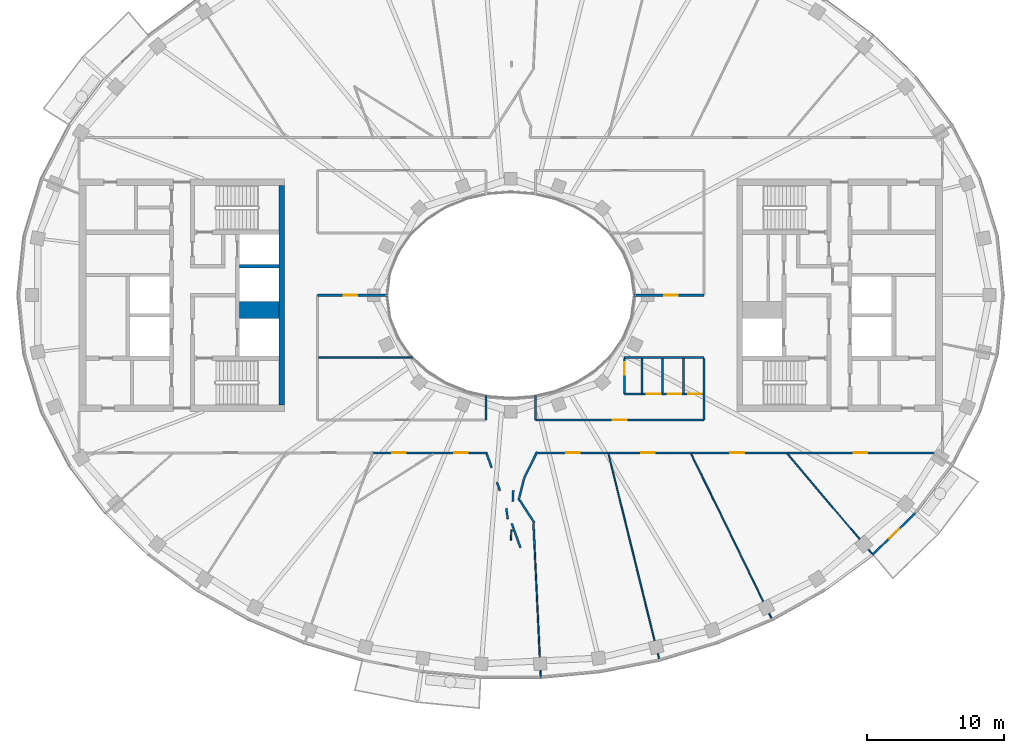
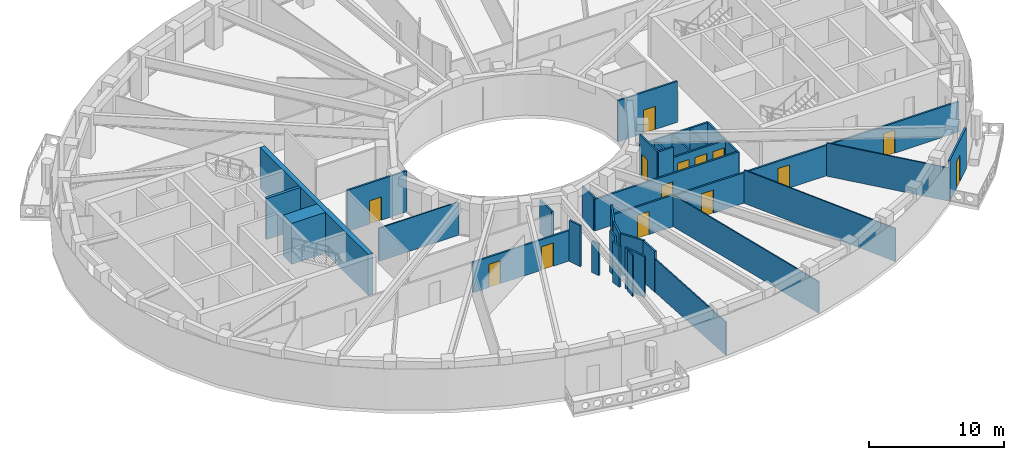
# One storey, part 4 of 16: 35 walls, 14 doors, 14 openings.
"""IFC4 building model written with IfcOpenShell, lengths in metres."""

from ifc_helpers import new_model, si_unit, direction, frame, frame_2d, origin, place, context, subcontext, project, spatial, rectangle, extrude, material, layer, layer_set, type_object, element, fill, save


model = new_model("IFC4")

# Units and contexts
model_context = context("Model", 3, precision=1e-05, world=origin(), true_north=direction((0.0, 1.0)))
body_context = subcontext(model_context, "Body", "Model", "MODEL_VIEW")
ifc_project = project(units=[si_unit("LENGTHUNIT", "METRE"), si_unit("AREAUNIT", "SQUARE_METRE"), si_unit("VOLUMEUNIT", "CUBIC_METRE"), si_unit("PLANEANGLEUNIT", "RADIAN"), si_unit("MASSUNIT", "GRAM", prefix="KILO")], contexts=[model_context])

# Site, building, storey
site_placement = place(None, origin())
site = spatial("IfcSite", under=ifc_project, at=site_placement, CompositionType="ELEMENT")
building_placement = place(site_placement, origin())
building = spatial("IfcBuilding", under=site, at=building_placement, Name="Noorbagh Ring Tower", CompositionType="ELEMENT")
storey_placement = place(building_placement, frame((0.0, 0.0, 315.0)))
storey = spatial("IfcBuildingStorey", under=building, at=storey_placement, Name="L68", CompositionType="ELEMENT", Elevation=315.0)

# Wall, opening, door
ifc_material_1 = material(Name="Gypsum board on steel studs", Category="steel")
ifc_layer_1 = layer(ifc_material_1, 0.14990234375)
ifc_layer_set_1 = layer_set([ifc_layer_1], Name="Gypsum board on steel studs")
wall_type_1 = type_object("IfcWallType", Name="COMPARTMENT PARTITION 150 EI 60", PredefinedType="PARTITIONING", material=ifc_layer_set_1)
wall_1_placement = place(storey_placement, frame((8.300048828125, -7.199951171875, 0.0), z_axis=(0.0, 0.0, 1.0), x_axis=(0.0, 1.0, 0.0)))
wall_1 = element("IfcWall", 1, at=wall_1_placement, inside=storey, type_object=wall_type_1, Name="L68/wall/P56", PredefinedType="PARTITIONING", context=body_context, shape_type="SweptSolid", body=[
    extrude(rectangle(XDim=2.595947265625, YDim=0.14990234375, at=frame_2d((1.2978515625, 0.0))), origin(), (0.0, 0.0, 1.0), 3.699951171875),
])
opening_1_placement = place(wall_1_placement, frame((1.39990234375, 0.0, 0.0)))
opening_1 = element("IfcOpeningElement", 2, at=opening_1_placement, cuts=wall_1, Name="Opening D4", PredefinedType="OPENING", context=body_context, shape_type="SweptSolid", body=[
    extrude(rectangle(XDim=0.89990234375, YDim=2.10009765625, at=frame_2d((0.449951171875, 1.050048828125))), frame((0.0, 0.0849609375, 0.0), z_axis=(0.0, -1.0, 0.0), x_axis=(1.0, 0.0, 0.0)), (0.0, 0.0, 1.0), 0.169921875),
])
ifc_material_2 = material(Name="Timber, painted", Category="wood")
door_type_1 = type_object("IfcDoorType", Name="DOOR 900 X 2100 FD60", OperationType="SINGLE_SWING_LEFT", PredefinedType="DOOR", material=ifc_material_2)
door_1_placement = place(opening_1_placement, origin())
door_1 = element("IfcDoor", 3, at=door_1_placement, inside=storey, type_object=door_type_1, Name="L68-D05", OperationType="SINGLE_SWING_RIGHT", OverallHeight=2.10009765625, OverallWidth=0.89990234375, PredefinedType="DOOR", context=body_context, shape_type="SweptSolid", body=[
    extrude(rectangle(XDim=0.89990234375, YDim=2.10009765625, at=frame_2d((0.449951171875, 1.050048828125))), frame((0.0, 0.02490234375, 0.0), z_axis=(0.0, -1.0, 0.0), x_axis=(1.0, 0.0, 0.0)), (0.0, 0.0, 1.0), 0.050048828125),
])
fill(opening_1, door_1)

# Walls
wall_2_placement = place(storey_placement, frame((8.300048828125, -7.199951171875, 0.0), z_axis=(0.0, 0.0, 1.0), x_axis=(1.0, 0.0, 0.0)))
element("IfcWall", 4, at=wall_2_placement, inside=storey, type_object=wall_type_1, Name="L68/wall/P57", PredefinedType="PARTITIONING", context=body_context, shape_type="SweptSolid", body=[
    extrude(rectangle(XDim=1.27587890625, YDim=0.14990234375, at=frame_2d((0.637939453125, 0.0))), origin(), (0.0, 0.0, 1.0), 3.699951171875),
])
wall_3_placement = place(storey_placement, frame((9.575927734375, -7.199951171875, 0.0), z_axis=(0.0, 0.0, 1.0), x_axis=(0.0, 1.0, 0.0)))
element("IfcWall", 5, at=wall_3_placement, inside=storey, type_object=wall_type_1, Name="L68/wall/P59", PredefinedType="PARTITIONING", context=body_context, shape_type="SweptSolid", body=[
    extrude(rectangle(XDim=2.599853515625, YDim=0.14990234375, at=frame_2d((1.2998046875, 0.0))), origin(), (0.0, 0.0, 1.0), 2.75),
])
ifc_material_3 = material(Name="Concrete C50/60", Category="concrete")
ifc_layer_2 = layer(ifc_material_3, 1.25)
ifc_layer_set_2 = layer_set([ifc_layer_2], Name="Concrete C50/60")
wall_type_2 = type_object("IfcWallType", Name="CORE-WALL-1250-C50-60-EI120", PredefinedType="SHEAR", material=ifc_layer_set_2)
wall_4_placement = place(storey_placement, frame((-16.89990234375, -1.074951171875, 0.0), z_axis=(0.0, 0.0, 1.0), x_axis=(-1.0, 0.0, 0.0)))
element("IfcWall", 6, at=wall_4_placement, inside=storey, type_object=wall_type_2, Name="Core wall W", PredefinedType="SHEAR", context=body_context, shape_type="SweptSolid", body=[
    extrude(rectangle(XDim=2.900146484375, YDim=1.25, at=frame_2d((1.4501953125, 0.0))), origin(), (0.0, 0.0, 1.0), 3.699951171875),
])
ifc_material_4 = material(Name="Concrete C50/60", Category="concrete")
ifc_layer_3 = layer(ifc_material_4, 0.25)
ifc_layer_set_3 = layer_set([ifc_layer_3], Name="Concrete C50/60")
wall_type_3 = type_object("IfcWallType", Name="CORE-WALL-250-C50-60-EI120", PredefinedType="SHEAR", material=ifc_layer_set_3)
wall_5_placement = place(storey_placement, frame((-16.89990234375, 2.125, 0.0), z_axis=(0.0, 0.0, 1.0), x_axis=(-1.0, 0.0, 0.0)))
element("IfcWall", 7, at=wall_5_placement, inside=storey, type_object=wall_type_3, Name="Core wall W", PredefinedType="SHEAR", context=body_context, shape_type="SweptSolid", body=[
    extrude(rectangle(XDim=2.900146484375, YDim=0.25, at=frame_2d((1.4501953125, 0.0))), origin(), (0.0, 0.0, 1.0), 3.699951171875),
])
ifc_material_5 = material(Name="Concrete C50/60", Category="concrete")
ifc_layer_4 = layer(ifc_material_5, 0.39990234375)
ifc_layer_set_4 = layer_set([ifc_layer_4], Name="Concrete C50/60")
wall_type_4 = type_object("IfcWallType", Name="CORE-WALL-400-C50-60-EI240", PredefinedType="SHEAR", material=ifc_layer_set_4)
wall_6_placement = place(storey_placement, frame((-16.699951171875, -8.0, 0.0), z_axis=(0.0, 0.0, 1.0), x_axis=(0.0, 1.0, 0.0)))
element("IfcWall", 8, at=wall_6_placement, inside=storey, type_object=wall_type_4, Name="Core wall W", PredefinedType="SHEAR", context=body_context, shape_type="SweptSolid", body=[
    extrude(rectangle(XDim=16.0, YDim=0.39990234375, at=frame_2d((8.0, 0.0))), origin(), (0.0, 0.0, 1.0), 3.699951171875),
])

# Wall, opening, door
ifc_material_6 = material(Name="Gypsum board on steel studs", Category="steel")
ifc_layer_5 = layer(ifc_material_6, 0.14990234375)
ifc_layer_set_5 = layer_set([ifc_layer_5], Name="Gypsum board on steel studs")
wall_type_5 = type_object("IfcWallType", Name="CORRIDOR PARTITION 150 EI 30", PredefinedType="PARTITIONING", material=ifc_layer_set_5)
wall_7_placement = place(storey_placement, frame((-14.10009765625, 0.0, 0.0), z_axis=(0.0, 0.0, 1.0), x_axis=(1.0, 0.0, 0.0)))
wall_7 = element("IfcWall", 9, at=wall_7_placement, inside=storey, type_object=wall_type_5, Name="L68/wall/P13", PredefinedType="PARTITIONING", context=body_context, shape_type="SweptSolid", body=[
    extrude(rectangle(XDim=5.09521484375, YDim=0.14990234375, at=frame_2d((2.547607421875, 0.0))), origin(), (0.0, 0.0, 1.0), 3.699951171875),
])
opening_2_placement = place(wall_7_placement, frame((1.89990234375, 0.0, 0.0)))
opening_2 = element("IfcOpeningElement", 10, at=opening_2_placement, cuts=wall_7, Name="Opening D1", PredefinedType="OPENING", context=body_context, shape_type="SweptSolid", body=[
    extrude(rectangle(XDim=1.0, YDim=2.10009765625, at=frame_2d((0.5, 1.050048828125))), frame((0.0, 0.0849609375, 0.0), z_axis=(0.0, -1.0, 0.0), x_axis=(1.0, 0.0, 0.0)), (0.0, 0.0, 1.0), 0.169921875),
])
ifc_material_7 = material(Name="Timber, painted", Category="wood")
door_type_2 = type_object("IfcDoorType", Name="DOOR 1000 X 2100 FD30", OperationType="SINGLE_SWING_LEFT", PredefinedType="DOOR", material=ifc_material_7)
door_2_placement = place(opening_2_placement, origin())
door_2 = element("IfcDoor", 11, at=door_2_placement, inside=storey, type_object=door_type_2, Name="L68-D26", OperationType="SINGLE_SWING_RIGHT", OverallHeight=2.10009765625, OverallWidth=1.0, PredefinedType="DOOR", context=body_context, shape_type="SweptSolid", body=[
    extrude(rectangle(XDim=1.0, YDim=2.10009765625, at=frame_2d((0.5, 1.050048828125))), frame((0.0, 0.02490234375, 0.0), z_axis=(0.0, -1.0, 0.0), x_axis=(1.0, 0.0, 0.0)), (0.0, 0.0, 1.0), 0.050048828125),
])
fill(opening_2, door_2)

# Wall, openings, doors
wall_8_placement = place(storey_placement, frame((-10.0029296875, -11.5, 0.0), z_axis=(0.0, 0.0, 1.0), x_axis=(1.0, 0.0, 0.0)))
wall_8 = element("IfcWall", 12, at=wall_8_placement, inside=storey, type_object=wall_type_5, Name="L68/wall/P20", PredefinedType="PARTITIONING", context=body_context, shape_type="SweptSolid", body=[
    extrude(rectangle(XDim=8.2978515625, YDim=0.14990234375, at=frame_2d((4.14892578125, 0.0))), origin(), (0.0, 0.0, 1.0), 2.75),
])
opening_3_placement = place(wall_8_placement, frame((5.860107421875, 0.0, 0.0)))
opening_3 = element("IfcOpeningElement", 13, at=opening_3_placement, cuts=wall_8, Name="Opening D1", PredefinedType="OPENING", context=body_context, shape_type="SweptSolid", body=[
    extrude(rectangle(XDim=1.0, YDim=2.10009765625, at=frame_2d((0.5, 1.050048828125))), frame((0.0, 0.0849609375, 0.0), z_axis=(0.0, -1.0, 0.0), x_axis=(1.0, 0.0, 0.0)), (0.0, 0.0, 1.0), 0.169921875),
])
opening_4_placement = place(wall_8_placement, frame((1.3349609375, 0.0, 0.0)))
opening_4 = element("IfcOpeningElement", 14, at=opening_4_placement, cuts=wall_8, Name="Opening D1", PredefinedType="OPENING", context=body_context, shape_type="SweptSolid", body=[
    extrude(rectangle(XDim=1.0, YDim=2.10009765625, at=frame_2d((0.5, 1.050048828125))), frame((0.0, 0.0849609375, 0.0), z_axis=(0.0, -1.0, 0.0), x_axis=(1.0, 0.0, 0.0)), (0.0, 0.0, 1.0), 0.169921875),
])
door_3_placement = place(opening_3_placement, origin())
door_3 = element("IfcDoor", 15, at=door_3_placement, inside=storey, type_object=door_type_2, Name="L68-D11", OperationType="SINGLE_SWING_LEFT", OverallHeight=2.10009765625, OverallWidth=1.0, PredefinedType="DOOR", context=body_context, shape_type="SweptSolid", body=[
    extrude(rectangle(XDim=1.0, YDim=2.10009765625, at=frame_2d((0.5, 1.050048828125))), frame((0.0, 0.02490234375, 0.0), z_axis=(0.0, -1.0, 0.0), x_axis=(1.0, 0.0, 0.0)), (0.0, 0.0, 1.0), 0.050048828125),
])
fill(opening_3, door_3)
door_4_placement = place(opening_4_placement, origin())
door_4 = element("IfcDoor", 16, at=door_4_placement, inside=storey, type_object=door_type_2, Name="L68-D12", OperationType="SINGLE_SWING_LEFT", OverallHeight=2.10009765625, OverallWidth=1.0, PredefinedType="DOOR", context=body_context, shape_type="SweptSolid", body=[
    extrude(rectangle(XDim=1.0, YDim=2.10009765625, at=frame_2d((0.5, 1.050048828125))), frame((0.0, 0.02490234375, 0.0), z_axis=(0.0, -1.0, 0.0), x_axis=(1.0, 0.0, 0.0)), (0.0, 0.0, 1.0), 0.050048828125),
])
fill(opening_4, door_4)

# Walls
wall_9_placement = place(storey_placement, frame((-1.800048828125, -9.10009765625, 0.0), z_axis=(0.0, 0.0, 1.0), x_axis=(0.0, 1.0, 0.0)))
element("IfcWall", 17, at=wall_9_placement, inside=storey, type_object=wall_type_5, Name="L68/wall/P24", PredefinedType="PARTITIONING", context=body_context, shape_type="SweptSolid", body=[
    extrude(rectangle(XDim=1.76416015625, YDim=0.14990234375, at=frame_2d((0.882080078125, 0.0))), origin(), (0.0, 0.0, 1.0), 3.0),
])
wall_10_placement = place(storey_placement, frame((-1.757080078125, -11.5791015625, 0.0), z_axis=(0.0, 0.0, 1.0), x_axis=(0.339062715819, -0.940763772018, 0.0)))
element("IfcWall", 18, at=wall_10_placement, inside=storey, type_object=wall_type_5, Name="L68/wall/P26", PredefinedType="PARTITIONING", context=body_context, shape_type="SweptSolid", body=[
    extrude(rectangle(XDim=1.0830078125, YDim=0.14990234375, at=frame_2d((0.54150390625, 0.0))), origin(), (0.0, 0.0, 1.0), 3.699951171875),
])
wall_11_placement = place(storey_placement, frame((-1.013916015625, -13.64404296875, 0.0), z_axis=(0.0, 0.0, 1.0), x_axis=(0.33795603829, -0.941161896904, 0.0)))
element("IfcWall", 19, at=wall_11_placement, inside=storey, type_object=wall_type_5, Name="L68/wall/P28", PredefinedType="PARTITIONING", context=body_context, shape_type="SweptSolid", body=[
    extrude(rectangle(XDim=0.668212890625, YDim=0.14990234375, at=frame_2d((0.333984375, 0.0))), origin(), (0.0, 0.0, 1.0), 2.85009765625),
])
wall_12_placement = place(storey_placement, frame((-0.33203125, -15.548095703125, 0.0), z_axis=(0.0, 0.0, 1.0), x_axis=(0.14248004426, -0.989797674774, 0.0)))
element("IfcWall", 20, at=wall_12_placement, inside=storey, type_object=wall_type_5, Name="L68/wall/P29", PredefinedType="PARTITIONING", context=body_context, shape_type="SweptSolid", body=[
    extrude(rectangle(XDim=0.80712890625, YDim=0.14990234375, at=frame_2d((0.403564453125, 0.0))), origin(), (0.0, 0.0, 1.0), 3.699951171875),
])
wall_13_placement = place(storey_placement, frame((0.069091796875, -16.658935546875, 0.0), z_axis=(0.0, 0.0, 1.0), x_axis=(0.3381611761, -0.941088209988, 0.0)))
element("IfcWall", 21, at=wall_13_placement, inside=storey, type_object=wall_type_5, Name="L68/wall/P32", PredefinedType="PARTITIONING", context=body_context, shape_type="SweptSolid", body=[
    extrude(rectangle(XDim=1.889404296875, YDim=0.14990234375, at=frame_2d((0.94482421875, 0.0))), origin(), (0.0, 0.0, 1.0), 3.699951171875),
])
wall_14_placement = place(storey_placement, frame((0.14599609375, -15.0419921875, 0.0), z_axis=(0.0, 0.0, 1.0), x_axis=(0.047343174261, 0.99887868325, 0.0)))
element("IfcWall", 22, at=wall_14_placement, inside=storey, type_object=wall_type_5, Name="L68/wall/P33", PredefinedType="PARTITIONING", context=body_context, shape_type="SweptSolid", body=[
    extrude(rectangle(XDim=0.783935546875, YDim=0.14990234375, at=frame_2d((0.39208984375, 0.0))), origin(), (0.0, 0.0, 1.0), 3.699951171875),
])
wall_15_placement = place(storey_placement, frame((0.572998046875, -14.97412109375, 0.0), z_axis=(0.0, 0.0, 1.0), x_axis=(0.239690117004, 0.970849446521, 0.0)))
element("IfcWall", 23, at=wall_15_placement, inside=storey, type_object=wall_type_5, Name="L68/wall/P35", PredefinedType="PARTITIONING", context=body_context, shape_type="SweptSolid", body=[
    extrude(rectangle(XDim=1.6357421875, YDim=0.14990234375, at=frame_2d((0.81787109375, 0.0))), origin(), (0.0, 0.0, 1.0), 3.699951171875),
])
wall_16_placement = place(storey_placement, frame((0.654052734375, -14.9609375, 0.0), z_axis=(0.0, 0.0, 1.0), x_axis=(0.542163330295, -0.840273124218, 0.0)))
element("IfcWall", 24, at=wall_16_placement, inside=storey, type_object=wall_type_5, Name="L68/wall/P36", PredefinedType="PARTITIONING", context=body_context, shape_type="SweptSolid", body=[
    extrude(rectangle(XDim=1.982666015625, YDim=0.14990234375, at=frame_2d((0.9912109375, 0.0))), origin(), (0.0, 0.0, 1.0), 3.699951171875),
])
wall_17_placement = place(storey_placement, frame((0.97705078125, -13.35302734375, 0.0), z_axis=(0.0, 0.0, 1.0), x_axis=(0.439324382849, 0.898328495949, 0.0)))
element("IfcWall", 25, at=wall_17_placement, inside=storey, type_object=wall_type_5, Name="L68/wall/P38", PredefinedType="PARTITIONING", context=body_context, shape_type="SweptSolid", body=[
    extrude(rectangle(XDim=2.146240234375, YDim=0.14990234375, at=frame_2d((1.0732421875, 0.0))), origin(), (0.0, 0.0, 1.0), 3.699951171875),
])
wall_18_placement = place(storey_placement, frame((1.655029296875, -16.64990234375, 0.0), z_axis=(0.0, 0.0, 1.0), x_axis=(0.047784147069, -0.998857685203, 0.0)))
element("IfcWall", 26, at=wall_18_placement, inside=storey, type_object=wall_type_5, Name="L68/wall/P42", PredefinedType="PARTITIONING", context=body_context, shape_type="SweptSolid", body=[
    extrude(rectangle(XDim=1.5888671875, YDim=0.14990234375, at=frame_2d((0.79443359375, 0.0))), origin(), (0.0, 0.0, 1.0), 3.699951171875),
])
wall_19_placement = place(storey_placement, frame((1.800048828125, -9.10009765625, 0.0), z_axis=(0.0, 0.0, 1.0), x_axis=(0.0, 1.0, 0.0)))
element("IfcWall", 27, at=wall_19_placement, inside=storey, type_object=wall_type_5, Name="L68/wall/P45", PredefinedType="PARTITIONING", context=body_context, shape_type="SweptSolid", body=[
    extrude(rectangle(XDim=1.76416015625, YDim=0.14990234375, at=frame_2d((0.882080078125, 0.0))), origin(), (0.0, 0.0, 1.0), 3.0),
])

# Wall, opening, door
wall_20_placement = place(storey_placement, frame((1.800048828125, -9.10009765625, 0.0), z_axis=(0.0, 0.0, 1.0), x_axis=(1.0, 0.0, 0.0)))
wall_20 = element("IfcWall", 28, at=wall_20_placement, inside=storey, type_object=wall_type_5, Name="L68/wall/P46", PredefinedType="PARTITIONING", context=body_context, shape_type="SweptSolid", body=[
    extrude(rectangle(XDim=12.300048828125, YDim=0.14990234375, at=frame_2d((6.14990234375, 0.0))), origin(), (0.0, 0.0, 1.0), 2.85009765625),
])
opening_5_placement = place(wall_20_placement, frame((5.64990234375, 0.0, 0.0)))
opening_5 = element("IfcOpeningElement", 29, at=opening_5_placement, cuts=wall_20, Name="Opening D1", PredefinedType="OPENING", context=body_context, shape_type="SweptSolid", body=[
    extrude(rectangle(XDim=1.0, YDim=2.10009765625, at=frame_2d((0.5, 1.050048828125))), frame((0.0, 0.0849609375, 0.0), z_axis=(0.0, -1.0, 0.0), x_axis=(1.0, 0.0, 0.0)), (0.0, 0.0, 1.0), 0.169921875),
])
door_5_placement = place(opening_5_placement, origin())
door_5 = element("IfcDoor", 30, at=door_5_placement, inside=storey, type_object=door_type_2, Name="L68-D01", OperationType="SINGLE_SWING_LEFT", OverallHeight=2.10009765625, OverallWidth=1.0, PredefinedType="DOOR", context=body_context, shape_type="SweptSolid", body=[
    extrude(rectangle(XDim=1.0, YDim=2.10009765625, at=frame_2d((0.5, 1.050048828125))), frame((0.0, 0.02490234375, 0.0), z_axis=(0.0, -1.0, 0.0), x_axis=(1.0, 0.0, 0.0)), (0.0, 0.0, 1.0), 0.050048828125),
])
fill(opening_5, door_5)

wall_21_placement = place(storey_placement, frame((1.966064453125, -11.5, 0.0), z_axis=(0.0, 0.0, 1.0), x_axis=(1.0, 0.0, 0.0)))
wall_21 = element("IfcWall", 31, at=wall_21_placement, inside=storey, type_object=wall_type_5, Name="L68/wall/P49", PredefinedType="PARTITIONING", context=body_context, shape_type="SweptSolid", body=[
    extrude(rectangle(XDim=5.14599609375, YDim=0.14990234375, at=frame_2d((2.572998046875, 0.0))), origin(), (0.0, 0.0, 1.0), 2.85009765625),
])
opening_6_placement = place(wall_21_placement, frame((2.06689453125, 0.0, 0.0)))
opening_6 = element("IfcOpeningElement", 32, at=opening_6_placement, cuts=wall_21, Name="Opening D1", PredefinedType="OPENING", context=body_context, shape_type="SweptSolid", body=[
    extrude(rectangle(XDim=1.0, YDim=2.10009765625, at=frame_2d((0.5, 1.050048828125))), frame((0.0, 0.0849609375, 0.0), z_axis=(0.0, -1.0, 0.0), x_axis=(1.0, 0.0, 0.0)), (0.0, 0.0, 1.0), 0.169921875),
])
door_6_placement = place(opening_6_placement, origin())
door_6 = element("IfcDoor", 33, at=door_6_placement, inside=storey, type_object=door_type_2, Name="L68-D15", OperationType="SINGLE_SWING_LEFT", OverallHeight=2.10009765625, OverallWidth=1.0, PredefinedType="DOOR", context=body_context, shape_type="SweptSolid", body=[
    extrude(rectangle(XDim=1.0, YDim=2.10009765625, at=frame_2d((0.5, 1.050048828125))), frame((0.0, 0.02490234375, 0.0), z_axis=(0.0, -1.0, 0.0), x_axis=(1.0, 0.0, 0.0)), (0.0, 0.0, 1.0), 0.050048828125),
])
fill(opening_6, door_6)

# Wall, openings, doors
wall_22_placement = place(storey_placement, frame((7.12890625, -11.5, 0.0), z_axis=(0.0, 0.0, 1.0), x_axis=(1.0, 0.0, 0.0)))
wall_22 = element("IfcWall", 34, at=wall_22_placement, inside=storey, type_object=wall_type_5, Name="L68/wall/P52", PredefinedType="PARTITIONING", context=body_context, shape_type="SweptSolid", body=[
    extrude(rectangle(XDim=24.37109375, YDim=0.14990234375, at=frame_2d((12.185546875, 0.0))), origin(), (0.0, 0.0, 1.0), 2.75),
])
opening_7_placement = place(wall_22_placement, frame((2.383056640625, 0.0, 0.0)))
opening_7 = element("IfcOpeningElement", 35, at=opening_7_placement, cuts=wall_22, Name="Opening D1", PredefinedType="OPENING", context=body_context, shape_type="SweptSolid", body=[
    extrude(rectangle(XDim=1.0, YDim=2.10009765625, at=frame_2d((0.5, 1.050048828125))), frame((0.0, 0.0849609375, 0.0), z_axis=(0.0, -1.0, 0.0), x_axis=(1.0, 0.0, 0.0)), (0.0, 0.0, 1.0), 0.169921875),
])
opening_8_placement = place(wall_22_placement, frame((8.89990234375, 0.0, 0.0)))
opening_8 = element("IfcOpeningElement", 36, at=opening_8_placement, cuts=wall_22, Name="Opening D1", PredefinedType="OPENING", context=body_context, shape_type="SweptSolid", body=[
    extrude(rectangle(XDim=1.0, YDim=2.10009765625, at=frame_2d((0.5, 1.050048828125))), frame((0.0, 0.0849609375, 0.0), z_axis=(0.0, -1.0, 0.0), x_axis=(1.0, 0.0, 0.0)), (0.0, 0.0, 1.0), 0.169921875),
])
opening_9_placement = place(wall_22_placement, frame((17.89404296875, 0.0, 0.0)))
opening_9 = element("IfcOpeningElement", 37, at=opening_9_placement, cuts=wall_22, Name="Opening D1", PredefinedType="OPENING", context=body_context, shape_type="SweptSolid", body=[
    extrude(rectangle(XDim=1.0, YDim=2.10009765625, at=frame_2d((0.5, 1.050048828125))), frame((0.0, 0.0849609375, 0.0), z_axis=(0.0, -1.0, 0.0), x_axis=(1.0, 0.0, 0.0)), (0.0, 0.0, 1.0), 0.169921875),
])
door_7_placement = place(opening_7_placement, origin())
door_7 = element("IfcDoor", 38, at=door_7_placement, inside=storey, type_object=door_type_2, Name="L68-D17", OperationType="SINGLE_SWING_LEFT", OverallHeight=2.10009765625, OverallWidth=1.0, PredefinedType="DOOR", context=body_context, shape_type="SweptSolid", body=[
    extrude(rectangle(XDim=1.0, YDim=2.10009765625, at=frame_2d((0.5, 1.050048828125))), frame((0.0, 0.02490234375, 0.0), z_axis=(0.0, -1.0, 0.0), x_axis=(1.0, 0.0, 0.0)), (0.0, 0.0, 1.0), 0.050048828125),
])
fill(opening_7, door_7)
door_8_placement = place(opening_8_placement, origin())
door_8 = element("IfcDoor", 39, at=door_8_placement, inside=storey, type_object=door_type_2, Name="L68-D19", OperationType="SINGLE_SWING_LEFT", OverallHeight=2.10009765625, OverallWidth=1.0, PredefinedType="DOOR", context=body_context, shape_type="SweptSolid", body=[
    extrude(rectangle(XDim=1.0, YDim=2.10009765625, at=frame_2d((0.5, 1.050048828125))), frame((0.0, 0.02490234375, 0.0), z_axis=(0.0, -1.0, 0.0), x_axis=(1.0, 0.0, 0.0)), (0.0, 0.0, 1.0), 0.050048828125),
])
fill(opening_8, door_8)
door_9_placement = place(opening_9_placement, origin())
door_9 = element("IfcDoor", 40, at=door_9_placement, inside=storey, type_object=door_type_2, Name="L68-D21", OperationType="SINGLE_SWING_LEFT", OverallHeight=2.10009765625, OverallWidth=1.0, PredefinedType="DOOR", context=body_context, shape_type="SweptSolid", body=[
    extrude(rectangle(XDim=1.0, YDim=2.10009765625, at=frame_2d((0.5, 1.050048828125))), frame((0.0, 0.02490234375, 0.0), z_axis=(0.0, -1.0, 0.0), x_axis=(1.0, 0.0, 0.0)), (0.0, 0.0, 1.0), 0.050048828125),
])
fill(opening_9, door_9)

# Wall
wall_23_placement = place(storey_placement, frame((8.27099609375, -4.550048828125, 0.0), z_axis=(0.0, 0.0, 1.0), x_axis=(1.0, 0.0, 0.0)))
element("IfcWall", 41, at=wall_23_placement, inside=storey, type_object=wall_type_5, Name="L68/wall/P55", PredefinedType="PARTITIONING", context=body_context, shape_type="SweptSolid", body=[
    extrude(rectangle(XDim=5.8291015625, YDim=0.14990234375, at=frame_2d((2.91455078125, 0.0))), origin(), (0.0, 0.0, 1.0), 2.75),
])

# Wall, opening, door
wall_24_placement = place(storey_placement, frame((9.0048828125, 0.0, 0.0), z_axis=(0.0, 0.0, 1.0), x_axis=(1.0, 0.0, 0.0)))
wall_24 = element("IfcWall", 42, at=wall_24_placement, inside=storey, type_object=wall_type_5, Name="L68/wall/P58", PredefinedType="PARTITIONING", context=body_context, shape_type="SweptSolid", body=[
    extrude(rectangle(XDim=5.09521484375, YDim=0.14990234375, at=frame_2d((2.547607421875, 0.0))), origin(), (0.0, 0.0, 1.0), 3.699951171875),
])
opening_10_placement = place(wall_24_placement, frame((2.195068359375, 0.0, 0.0)))
opening_10 = element("IfcOpeningElement", 43, at=opening_10_placement, cuts=wall_24, Name="Opening D1", PredefinedType="OPENING", context=body_context, shape_type="SweptSolid", body=[
    extrude(rectangle(XDim=1.0, YDim=2.10009765625, at=frame_2d((0.5, 1.050048828125))), frame((0.0, 0.0849609375, 0.0), z_axis=(0.0, -1.0, 0.0), x_axis=(1.0, 0.0, 0.0)), (0.0, 0.0, 1.0), 0.169921875),
])
door_10_placement = place(opening_10_placement, origin())
door_10 = element("IfcDoor", 44, at=door_10_placement, inside=storey, type_object=door_type_2, Name="L68-D29", OperationType="SINGLE_SWING_LEFT", OverallHeight=2.10009765625, OverallWidth=1.0, PredefinedType="DOOR", context=body_context, shape_type="SweptSolid", body=[
    extrude(rectangle(XDim=1.0, YDim=2.10009765625, at=frame_2d((0.5, 1.050048828125))), frame((0.0, 0.02490234375, 0.0), z_axis=(0.0, -1.0, 0.0), x_axis=(1.0, 0.0, 0.0)), (0.0, 0.0, 1.0), 0.050048828125),
])
fill(opening_10, door_10)

# Wall, openings, doors
wall_25_placement = place(storey_placement, frame((9.575927734375, -7.199951171875, 0.0), z_axis=(0.0, 0.0, 1.0), x_axis=(1.0, 0.0, 0.0)))
wall_25 = element("IfcWall", 45, at=wall_25_placement, inside=storey, type_object=wall_type_5, Name="L68/wall/P60", PredefinedType="PARTITIONING", context=body_context, shape_type="SweptSolid", body=[
    extrude(rectangle(XDim=4.448974609375, YDim=0.14990234375, at=frame_2d((2.224609375, 0.0))), origin(), (0.0, 0.0, 1.0), 2.75),
])
opening_11_placement = place(wall_25_placement, frame((3.3740234375, 0.0, 0.0)))
opening_11 = element("IfcOpeningElement", 46, at=opening_11_placement, cuts=wall_25, Name="Opening D3", PredefinedType="OPENING", context=body_context, shape_type="SweptSolid", body=[
    extrude(rectangle(XDim=1.0, YDim=2.10009765625, at=frame_2d((0.5, 1.050048828125))), frame((0.0, 0.0849609375, 0.0), z_axis=(0.0, -1.0, 0.0), x_axis=(1.0, 0.0, 0.0)), (0.0, 0.0, 1.0), 0.169921875),
])
opening_12_placement = place(wall_25_placement, frame((1.865966796875, 0.0, 0.0)))
opening_12 = element("IfcOpeningElement", 47, at=opening_12_placement, cuts=wall_25, Name="Opening D3", PredefinedType="OPENING", context=body_context, shape_type="SweptSolid", body=[
    extrude(rectangle(XDim=1.0, YDim=2.10009765625, at=frame_2d((0.5, 1.050048828125))), frame((0.0, 0.0849609375, 0.0), z_axis=(0.0, -1.0, 0.0), x_axis=(1.0, 0.0, 0.0)), (0.0, 0.0, 1.0), 0.169921875),
])
opening_13_placement = place(wall_25_placement, frame((0.35791015625, 0.0, 0.0)))
opening_13 = element("IfcOpeningElement", 48, at=opening_13_placement, cuts=wall_25, Name="Opening D3", PredefinedType="OPENING", context=body_context, shape_type="SweptSolid", body=[
    extrude(rectangle(XDim=1.0, YDim=2.10009765625, at=frame_2d((0.5, 1.050048828125))), frame((0.0, 0.0849609375, 0.0), z_axis=(0.0, -1.0, 0.0), x_axis=(1.0, 0.0, 0.0)), (0.0, 0.0, 1.0), 0.169921875),
])
ifc_material_8 = material(Name="Timber, painted", Category="wood")
door_type_3 = type_object("IfcDoorType", Name="DOOR 1000 X 2100 WC", OperationType="SINGLE_SWING_LEFT", PredefinedType="DOOR", material=ifc_material_8)
door_11_placement = place(opening_11_placement, origin())
door_11 = element("IfcDoor", 49, at=door_11_placement, inside=storey, type_object=door_type_3, Name="L68-D02", OperationType="SINGLE_SWING_RIGHT", OverallHeight=2.10009765625, OverallWidth=1.0, PredefinedType="DOOR", context=body_context, shape_type="SweptSolid", body=[
    extrude(rectangle(XDim=1.0, YDim=2.10009765625, at=frame_2d((0.5, 1.050048828125))), frame((0.0, 0.02490234375, 0.0), z_axis=(0.0, -1.0, 0.0), x_axis=(1.0, 0.0, 0.0)), (0.0, 0.0, 1.0), 0.050048828125),
])
fill(opening_11, door_11)
door_12_placement = place(opening_12_placement, origin())
door_12 = element("IfcDoor", 50, at=door_12_placement, inside=storey, type_object=door_type_3, Name="L68-D03", OperationType="SINGLE_SWING_LEFT", OverallHeight=2.10009765625, OverallWidth=1.0, PredefinedType="DOOR", context=body_context, shape_type="SweptSolid", body=[
    extrude(rectangle(XDim=1.0, YDim=2.10009765625, at=frame_2d((0.5, 1.050048828125))), frame((0.0, 0.02490234375, 0.0), z_axis=(0.0, -1.0, 0.0), x_axis=(1.0, 0.0, 0.0)), (0.0, 0.0, 1.0), 0.050048828125),
])
fill(opening_12, door_12)
door_13_placement = place(opening_13_placement, origin())
door_13 = element("IfcDoor", 51, at=door_13_placement, inside=storey, type_object=door_type_3, Name="L68-D04", OperationType="SINGLE_SWING_RIGHT", OverallHeight=2.10009765625, OverallWidth=1.0, PredefinedType="DOOR", context=body_context, shape_type="SweptSolid", body=[
    extrude(rectangle(XDim=1.0, YDim=2.10009765625, at=frame_2d((0.5, 1.050048828125))), frame((0.0, 0.02490234375, 0.0), z_axis=(0.0, -1.0, 0.0), x_axis=(1.0, 0.0, 0.0)), (0.0, 0.0, 1.0), 0.050048828125),
])
fill(opening_13, door_13)

# Walls
for number, where, z_axis, x_axis, name in (
    (52, (11.083984375, -7.125, 0.0), (0.0, 0.0, 1.0), (0.0, 1.0, 0.0), "L68/wall/P61"),
    (53, (12.592041015625, -7.125, 0.0), (0.0, 0.0, 1.0), (0.0, 1.0, 0.0), "L68/wall/P62"),
):
    element("IfcWall", number, at=place(storey_placement, frame(where, z_axis=z_axis, x_axis=x_axis)), inside=storey, type_object=wall_type_5, Name=name, PredefinedType="PARTITIONING", context=body_context, shape_type="SweptSolid", body=[
        extrude(rectangle(XDim=2.52490234375, YDim=0.14990234375, at=frame_2d((1.262451171875, 0.0))), origin(), (0.0, 0.0, 1.0), 2.75),
    ])
wall_26_placement = place(storey_placement, frame((14.10009765625, -9.10009765625, 0.0), z_axis=(0.0, 0.0, 1.0), x_axis=(0.0, 1.0, 0.0)))
element("IfcWall", 54, at=wall_26_placement, inside=storey, type_object=wall_type_5, Name="L68/wall/P65", PredefinedType="PARTITIONING", context=body_context, shape_type="SweptSolid", body=[
    extrude(rectangle(XDim=4.5, YDim=0.14990234375, at=frame_2d((2.25, 0.0))), origin(), (0.0, 0.0, 1.0), 2.75),
])

# Wall, opening, door
ifc_material_9 = material(Name="Insulated aluminium clad panel", Category="aluminium")
ifc_layer_6 = layer(ifc_material_9, 0.14990234375)
ifc_layer_set_6 = layer_set([ifc_layer_6], Name="Insulated aluminium clad panel")
wall_type_6 = type_object("IfcWallType", Name="ENV-WALL-DOOR", PredefinedType="STANDARD", material=ifc_layer_set_6)
wall_27_placement = place(storey_placement, frame((26.396484375, -18.943359375, 0.0), z_axis=(0.0, 0.0, 1.0), x_axis=(0.717214761864, 0.696852197647, 0.0)))
wall_27 = element("IfcWall", 55, at=wall_27_placement, inside=storey, type_object=wall_type_6, Name="Balcony door wall chord 42", PredefinedType="STANDARD", context=body_context, shape_type="SweptSolid", body=[
    extrude(rectangle(XDim=4.424072265625, YDim=0.14990234375, at=frame_2d((2.2119140625, 0.0))), origin(), (0.0, 0.0, 1.0), 3.699951171875),
])
opening_14_placement = place(wall_27_placement, frame((1.712158203125, 0.0, 0.0)))
opening_14 = element("IfcOpeningElement", 56, at=opening_14_placement, cuts=wall_27, Name="Opening D-BL", PredefinedType="OPENING", context=body_context, shape_type="SweptSolid", body=[
    extrude(rectangle(XDim=1.0, YDim=2.39990234375, at=frame_2d((0.5, 1.199951171875))), frame((0.0, 0.0849609375, 0.0), z_axis=(0.0, -1.0, 0.0), x_axis=(1.0, 0.0, 0.0)), (0.0, 0.0, 1.0), 0.169921875),
])
ifc_material_10 = material(Name="Aluminium and glass", Category="aluminium")
door_type_4 = type_object("IfcDoorType", Name="ENV-DOOR-BALCONY", OperationType="SINGLE_SWING_LEFT", PredefinedType="DOOR", material=ifc_material_10)
door_14_placement = place(opening_14_placement, origin())
door_14 = element("IfcDoor", 57, at=door_14_placement, inside=storey, type_object=door_type_4, Name="Balcony door chord 42", OperationType="SINGLE_SWING_LEFT", OverallHeight=2.39990234375, OverallWidth=1.0, PredefinedType="DOOR", context=body_context, shape_type="SweptSolid", body=[
    extrude(rectangle(XDim=1.0, YDim=2.39990234375, at=frame_2d((0.5, 1.199951171875))), frame((0.0, 0.02490234375, 0.0), z_axis=(0.0, -1.0, 0.0), x_axis=(1.0, 0.0, 0.0)), (0.0, 0.0, 1.0), 0.050048828125),
])
fill(opening_14, door_14)

# Walls
ifc_material_11 = material(Name="Gypsum board on steel studs", Category="steel")
ifc_layer_7 = layer(ifc_material_11, 0.10009765625)
ifc_layer_set_7 = layer_set([ifc_layer_7], Name="Gypsum board on steel studs")
wall_type_7 = type_object("IfcWallType", Name="PARTITION 100 GYPSUM", PredefinedType="PARTITIONING", material=ifc_layer_set_7)
wall_28_placement = place(storey_placement, frame((-14.02490234375, -4.550048828125, 0.0), z_axis=(0.0, 0.0, 1.0), x_axis=(1.0, 0.0, 0.0)))
element("IfcWall", 58, at=wall_28_placement, inside=storey, type_object=wall_type_7, Name="L68/wall/P12", PredefinedType="PARTITIONING", context=body_context, shape_type="SweptSolid", body=[
    extrude(rectangle(XDim=6.850830078125, YDim=0.10009765625, at=frame_2d((3.42529296875, 0.0))), origin(), (0.0, 0.0, 1.0), 3.0),
])
wall_29_placement = place(storey_placement, frame((0.010986328125, -17.89892578125, 0.0), z_axis=(0.0, 0.0, 1.0), x_axis=(0.046862039633, 0.998901371128, 0.0)))
element("IfcWall", 59, at=wall_29_placement, inside=storey, type_object=wall_type_7, Name="L68/wall/P30", PredefinedType="PARTITIONING", context=body_context, shape_type="SweptSolid", body=[
    extrude(rectangle(XDim=0.7919921875, YDim=0.10009765625, at=frame_2d((0.39599609375, 0.0))), origin(), (0.0, 0.0, 1.0), 3.699951171875),
])
wall_30_placement = place(storey_placement, frame((1.73095703125, -18.237060546875, 0.0), z_axis=(0.0, 0.0, 1.0), x_axis=(0.047456012182, -0.99887332876, 0.0)))
element("IfcWall", 60, at=wall_30_placement, inside=storey, type_object=wall_type_7, Name="L68/wall/P44", PredefinedType="PARTITIONING", context=body_context, shape_type="SweptSolid", body=[
    extrude(rectangle(XDim=9.671875, YDim=0.10009765625, at=frame_2d((4.8359375, 0.0))), origin(), (0.0, 0.0, 1.0), 3.0),
])
wall_31_placement = place(storey_placement, frame((7.112060546875, -11.5, 0.0), z_axis=(0.0, 0.0, 1.0), x_axis=(0.239787813873, -0.970825321218, 0.0)))
element("IfcWall", 61, at=wall_31_placement, inside=storey, type_object=wall_type_7, Name="L68/wall/P50", PredefinedType="PARTITIONING", context=body_context, shape_type="SweptSolid", body=[
    extrude(rectangle(XDim=15.60107421875, YDim=0.10009765625, at=frame_2d((7.800537109375, 0.0))), origin(), (0.0, 0.0, 1.0), 2.85009765625),
])
wall_32_placement = place(storey_placement, frame((13.1669921875, -11.5791015625, 0.0), z_axis=(0.0, 0.0, 1.0), x_axis=(0.439238726833, -0.898370380661, 0.0)))
element("IfcWall", 62, at=wall_32_placement, inside=storey, type_object=wall_type_7, Name="L68/wall/P63", PredefinedType="PARTITIONING", context=body_context, shape_type="SweptSolid", body=[
    extrude(rectangle(XDim=13.475341796875, YDim=0.10009765625, at=frame_2d((6.73779296875, 0.0))), origin(), (0.0, 0.0, 1.0), 3.0),
])
wall_33_placement = place(storey_placement, frame((20.18896484375, -11.577880859375, 0.0), z_axis=(0.0, 0.0, 1.0), x_axis=(0.646376264927, -0.763018822926, 0.0)))
element("IfcWall", 63, at=wall_33_placement, inside=storey, type_object=wall_type_7, Name="L68/wall/P67", PredefinedType="PARTITIONING", context=body_context, shape_type="SweptSolid", body=[
    extrude(rectangle(XDim=9.6552734375, YDim=0.10009765625, at=frame_2d((4.82763671875, 0.0))), origin(), (0.0, 0.0, 1.0), 3.0),
])

save(model, "model.ifc")
